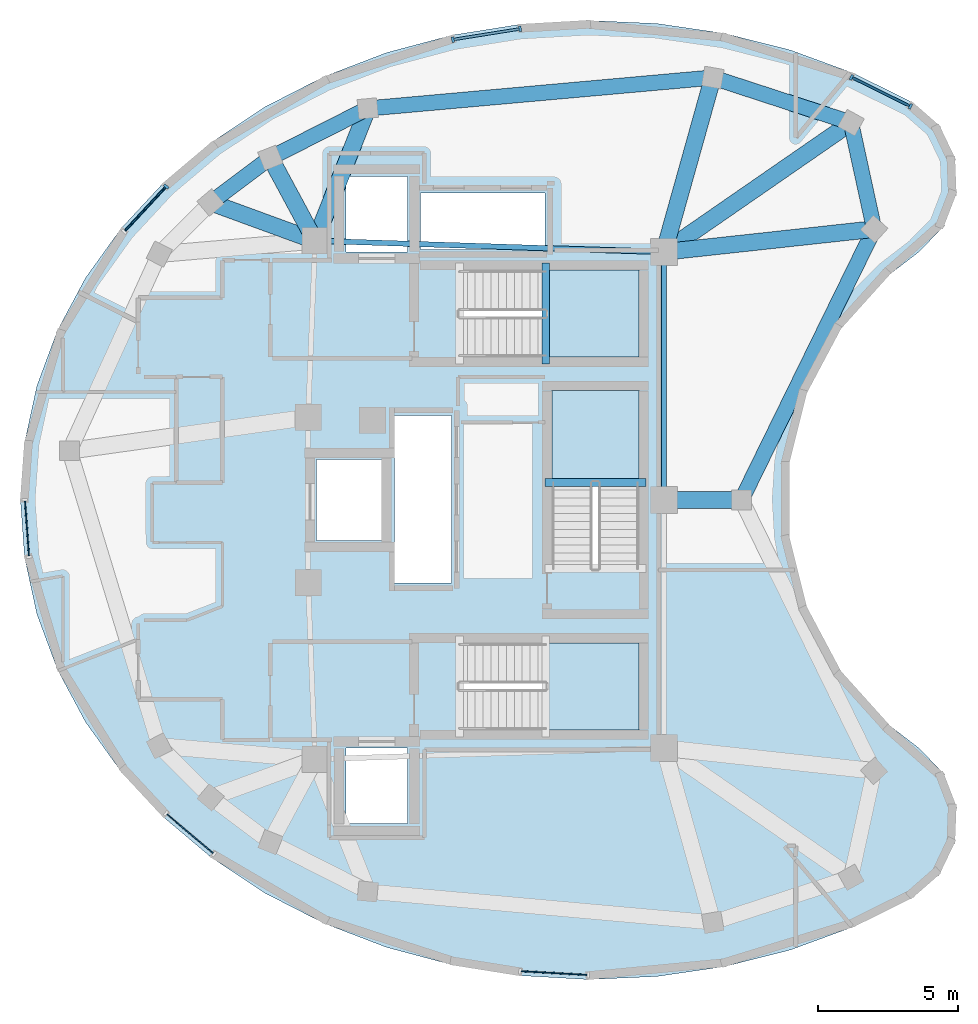
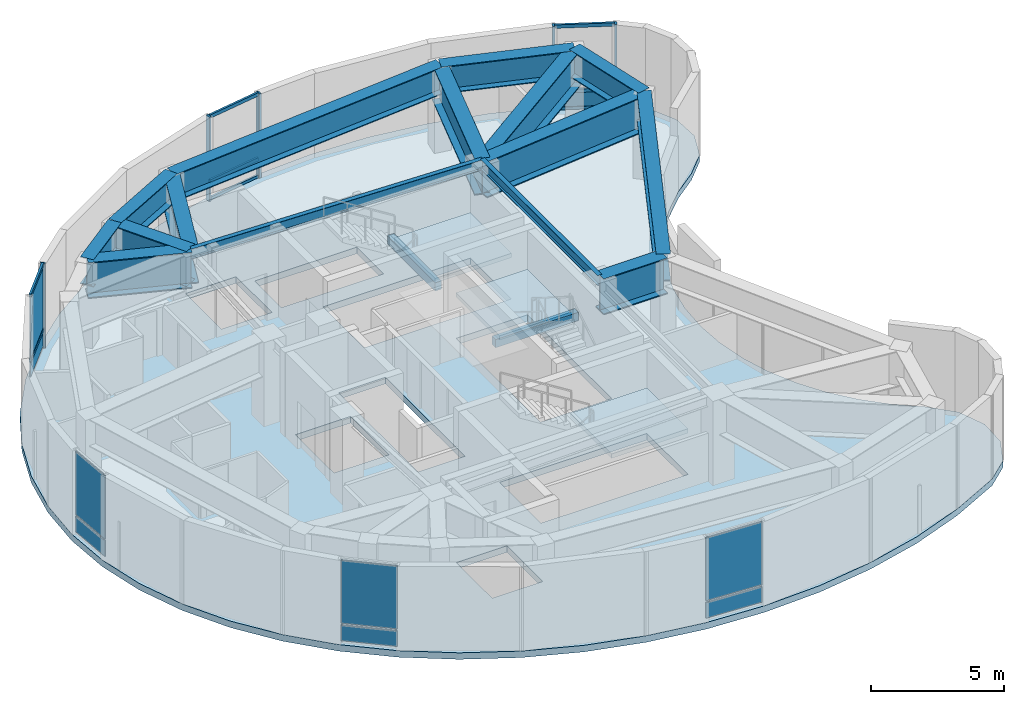
# One storey, part 2 of 8: 17 beams, 13 members, 9 plates, 4 slabs, 9 elements without a shape of their own.
"""IFC4 building model written with IfcOpenShell, lengths in metres."""

import ifcopenshell
import ifcopenshell.guid

model = None  # the IFC model being written
_history = None  # IfcOwnerHistory: only IFC2X3 demands one
_inside = {}  # id of a spatial element -> (the spatial element, [elements in it])
_under = {}  # id of a project, library or spatial element -> (it, [spatial elements below it])
_declared = {}  # id of a project -> (the project, [libraries it declares])
_typed = {}  # id of a type object -> (the type object, [elements of that type])
_made_of = {}  # id of a material, layer set ... -> (it, [elements and type objects made of it])


def new_model(schema):
    """Start an empty IFC model of exactly this schema.

    Asked for "IFC4X3", IfcOpenShell would pick the latest addendum, in which some entities
    have other attributes; the version numbers below select the first issue.
    IFC2X3 requires an IfcOwnerHistory on every rooted entity: one is made here for all.
    """
    global model, _history
    if schema == "IFC4X3":
        model = ifcopenshell.file(schema_version=(4, 3, 0, 0))
    else:
        model = ifcopenshell.file(schema=schema)
    _inside.clear()
    _under.clear()
    _declared.clear()
    _typed.clear()
    _made_of.clear()
    _history = None
    if model.schema == "IFC2X3":
        org = make("IfcOrganization", Name="unknown")
        user = make(
            "IfcPersonAndOrganization",
            ThePerson=make("IfcPerson", FamilyName="unknown"),
            TheOrganization=org,
        )
        app = make(
            "IfcApplication",
            ApplicationDeveloper=org,
            Version="unknown",
            ApplicationFullName="unknown",
            ApplicationIdentifier="unknown",
        )
        _history = make(
            "IfcOwnerHistory",
            OwningUser=user,
            OwningApplication=app,
            ChangeAction="ADDED",
            CreationDate=0,
        )
    return model


def make(cls, **values):
    """One entity of the class cls with the attributes given. An attribute that is None is left unset."""
    return model.create_entity(
        cls, **{name: value for name, value in values.items() if value is not None}
    )


def rooted(cls, **values):
    """An entity with a GlobalId (a new one), such as an element, a storey or a relation."""
    return make(cls, GlobalId=ifcopenshell.guid.new(), OwnerHistory=_history, **values)


def si_unit(unit_type, name, prefix=None):
    """IfcSIUnit, for example si_unit("LENGTHUNIT", "METRE", prefix="MILLI")."""
    return make("IfcSIUnit", UnitType=unit_type, Prefix=prefix, Name=name)


def assignment(units):
    """IfcUnitAssignment: the units of a project."""
    return None if units is None else make("IfcUnitAssignment", Units=units)


def point(xyz):
    """IfcCartesianPoint."""
    return None if xyz is None else make("IfcCartesianPoint", Coordinates=xyz)


def direction(xyz):
    """IfcDirection."""
    return None if xyz is None else make("IfcDirection", DirectionRatios=xyz)


def frame(location, z_axis=None, x_axis=None):
    """IfcAxis2Placement3D, a coordinate frame: its origin and axes. An axis left out is left unset."""
    return make(
        "IfcAxis2Placement3D",
        Location=point(location),
        Axis=direction(z_axis),
        RefDirection=direction(x_axis),
    )


def frame_2d(location, x_axis=None):
    """IfcAxis2Placement2D, a coordinate frame in the plane: its origin and x axis."""
    return make(
        "IfcAxis2Placement2D", Location=point(location), RefDirection=direction(x_axis)
    )


def origin():
    """The frame at (0, 0, 0) with its axes left unset."""
    return frame((0.0, 0.0, 0.0))


def origin_2d():
    """The frame at (0, 0) in the plane with its x axis left unset."""
    return frame_2d((0.0, 0.0))


def place(relative_to, where):
    """IfcLocalPlacement: puts the frame where relative to a parent placement (None: the world)."""
    return make(
        "IfcLocalPlacement", PlacementRelTo=relative_to, RelativePlacement=where
    )


def context(
    kind, dimensions, precision=None, world=None, true_north=None, identifier=None
):
    """IfcGeometricRepresentationContext, for example the 3D "Model" context."""
    return make(
        "IfcGeometricRepresentationContext",
        ContextIdentifier=identifier,
        ContextType=kind,
        CoordinateSpaceDimension=dimensions,
        Precision=precision,
        WorldCoordinateSystem=world,
        TrueNorth=true_north,
    )


def subcontext(parent, identifier, kind, view, scale=None):
    """IfcGeometricRepresentationSubContext, for example "Body" below "Model"."""
    return make(
        "IfcGeometricRepresentationSubContext",
        ContextIdentifier=identifier,
        ContextType=kind,
        ParentContext=parent,
        TargetScale=scale,
        TargetView=view,
    )


def project(units=None, contexts=None):
    """IfcProject with its units and contexts."""
    return rooted(
        "IfcProject",
        Name="project",
        RepresentationContexts=contexts,
        UnitsInContext=assignment(units),
    )


def spatial(cls, under=None, at=None, **own):
    """A site, building, storey or space (cls), placed at a placement, below another one or the project."""
    s = rooted(cls, ObjectPlacement=at, **own)
    if under is not None:
        _under.setdefault(under.id(), (under, []))[1].append(s)
    return s


def polyline(points):
    """IfcPolyline through the points."""
    return make("IfcPolyline", Points=[point(p) for p in points])


def profile(cls, at=None, kind="AREA", **sizes):
    """A parametric profile (cls). Its sizes go by their IFC names, for example OverallWidth=200.0."""
    return make(cls, ProfileType=kind, Position=at, **sizes)


def rectangle(**sizes):
    """IfcRectangleProfileDef."""
    return profile("IfcRectangleProfileDef", **sizes)


def i_section(**sizes):
    """IfcIShapeProfileDef."""
    return profile("IfcIShapeProfileDef", **sizes)


def outline(outer, holes=None, kind="AREA"):
    """IfcArbitraryClosedProfileDef: a profile drawn as a closed curve; with holes, ...WithVoids."""
    if holes is None:
        return make("IfcArbitraryClosedProfileDef", ProfileType=kind, OuterCurve=outer)
    return make(
        "IfcArbitraryProfileDefWithVoids",
        ProfileType=kind,
        OuterCurve=outer,
        InnerCurves=holes,
    )


def extrude(swept, where, along, depth):
    """IfcExtrudedAreaSolid: the profile swept, set in the frame where, extruded along a direction by depth."""
    return make(
        "IfcExtrudedAreaSolid",
        SweptArea=swept,
        Position=where,
        ExtrudedDirection=direction(along),
        Depth=depth,
    )


def shape(context_of_items, identifier, shape_type, items):
    """IfcShapeRepresentation: the items that make up one representation, for example the "Body"."""
    return make(
        "IfcShapeRepresentation",
        ContextOfItems=context_of_items,
        RepresentationIdentifier=identifier,
        RepresentationType=shape_type,
        Items=items,
    )


def material(Name=None, Category=None):
    """IfcMaterial."""
    return make("IfcMaterial", Name=Name, Category=Category)


def layer(
    of_material, thickness, ventilated=None, Name=None, Category=None, Priority=None
):
    """IfcMaterialLayer: one layer of a wall or slab, of a material (None: an air gap)."""
    return make(
        "IfcMaterialLayer",
        Material=of_material,
        LayerThickness=thickness,
        IsVentilated=ventilated,
        Name=Name,
        Category=Category,
        Priority=Priority,
    )


def layer_set(layers, Name=None):
    """IfcMaterialLayerSet."""
    return make("IfcMaterialLayerSet", MaterialLayers=layers, LayerSetName=Name)


def material_profile(
    of_material, cross_section, Name=None, Category=None, Priority=None
):
    """IfcMaterialProfile: a cross section and its material."""
    return make(
        "IfcMaterialProfile",
        Name=Name,
        Material=of_material,
        Profile=cross_section,
        Priority=Priority,
        Category=Category,
    )


def profile_set(profiles, Name=None, composite=None):
    """IfcMaterialProfileSet."""
    return make(
        "IfcMaterialProfileSet",
        Name=Name,
        MaterialProfiles=profiles,
        CompositeProfile=composite,
    )


def made_of(thing, what):
    """Note that an element or type object is made of a material, layer set ...; save() writes the relation."""
    if what is not None:
        _made_of.setdefault(what.id(), (what, []))[1].append(thing)
    return thing


def type_object(cls, material=None, **own):
    """A type object (cls), such as IfcWallType, which elements share."""
    return made_of(rooted(cls, **own), material)


def element(
    cls,
    number,
    at=None,
    inside=None,
    cuts=None,
    type_object=None,
    material=None,
    context=None,
    identifier="Body",
    shape_type=None,
    held_by="IfcProductDefinitionShape",
    body=None,
    shapes=None,
    **own,
):
    """One element of the class cls, such as IfcWall. Its Tag is "e" and its number.

    at: its placement. inside: the storey or other place that contains it. cuts: it is an
    opening in that element (IfcRelVoidsElement). A single representation is given by context,
    identifier, shape_type and body (its items); several are given by shapes. held_by: the class
    of the entity that holds the representations. save() writes the other relations.
    """
    e = rooted(cls, Tag="e%d" % number, ObjectPlacement=at, **own)
    if body is not None:
        shapes = [shape(context, identifier, shape_type, body)]
    if shapes is not None:
        e.Representation = make(held_by, Representations=shapes)
    if inside is not None:
        _inside.setdefault(inside.id(), (inside, []))[1].append(e)
    if cuts is not None:
        rooted(
            "IfcRelVoidsElement", RelatingBuildingElement=cuts, RelatedOpeningElement=e
        )
    if type_object is not None:
        _typed.setdefault(type_object.id(), (type_object, []))[1].append(e)
    return made_of(e, material)


def aggregate(whole, parts):
    """IfcRelAggregates: a whole, such as a stair, and the parts it consists of."""
    return rooted("IfcRelAggregates", RelatingObject=whole, RelatedObjects=parts)


def save(model, path):
    """Write the relations noted so far, then the file.

    IfcRelAggregates (storeys below a building ...), IfcRelContainedInSpatialStructure (elements
    in a storey), IfcRelDefinesByType, IfcRelAssociatesMaterial and IfcRelDeclares: one each for
    every whole, place, type object, material and project.
    """
    for whole, parts in _under.values():
        aggregate(whole, parts)
    for where, things in _inside.values():
        rooted(
            "IfcRelContainedInSpatialStructure",
            RelatedElements=things,
            RelatingStructure=where,
        )
    for kind, things in _typed.values():
        rooted("IfcRelDefinesByType", RelatedObjects=things, RelatingType=kind)
    for what, things in _made_of.values():
        rooted("IfcRelAssociatesMaterial", RelatedObjects=things, RelatingMaterial=what)
    for by, libraries in _declared.values():
        rooted("IfcRelDeclares", RelatingContext=by, RelatedDefinitions=libraries)
    model.write(path)


model = new_model("IFC4")

# Units and contexts
model_context = context("Model", 3, precision=1e-05, world=origin(), true_north=direction((0.0, 1.0)))
body_context = subcontext(model_context, "Body", "Model", "MODEL_VIEW")
ifc_project = project(units=[si_unit("LENGTHUNIT", "METRE"), si_unit("AREAUNIT", "SQUARE_METRE"), si_unit("VOLUMEUNIT", "CUBIC_METRE"), si_unit("PLANEANGLEUNIT", "RADIAN"), si_unit("MASSUNIT", "GRAM", prefix="KILO")], contexts=[model_context])

# Site, building, storey
site_placement = place(None, origin())
site = spatial("IfcSite", under=ifc_project, at=site_placement, CompositionType="ELEMENT")
building_placement = place(site_placement, origin())
building = spatial("IfcBuilding", under=site, at=building_placement, Name="Korentha Bioscience Tower", CompositionType="ELEMENT")
storey_placement = place(building_placement, frame((0.0, 0.0, 331.199951171875)))
storey = spatial("IfcBuildingStorey", under=building, at=storey_placement, Name="L76", CompositionType="ELEMENT", Elevation=331.199951171875)

# Beams
ifc_material_1 = material(Name="Concrete C50", Category="concrete")
ifc_material_profile_1 = material_profile(ifc_material_1, rectangle(XDim=0.280029296875, YDim=0.3798828125, at=origin_2d()), Name="Concrete C50")
ifc_profile_set_1 = profile_set([ifc_material_profile_1], Name="Concrete C50 (ST-HB380)")
beam_type_1 = type_object("IfcBeamType", Name="Concrete Stair Header Beam RC 280x380", PredefinedType="BEAM", material=ifc_profile_set_1)
for number, where, z_axis, x_axis, name in (
    (1, (33.330078125, 31.85009765625, 1.91015625), (0.0, 1.0, 0.0), (-1.0, 0.0, 0.0), "L76 ST-1 Half-Landing Header Beam 1"),
    (2, (36.89990234375, 27.6298828125, 1.91015625), (-1.0, 0.0, 0.0), (0.0, -1.0, 0.0), "L76 ST-3 Half-Landing Header Beam 1"),
):
    element("IfcBeam", number, at=place(storey_placement, frame(where, z_axis=z_axis, x_axis=x_axis)), inside=storey, type_object=beam_type_1, Name=name, PredefinedType="BEAM", context=body_context, shape_type="SweptSolid", body=[
        extrude(rectangle(XDim=0.280029296875, YDim=0.3798828125, at=origin_2d()), origin(), (0.0, 0.0, 1.0), 3.599853515625),
    ])
ifc_material_2 = material(Name="Steel S355", Category="steel")
ifc_material_profile_2 = material_profile(ifc_material_2, i_section(OverallWidth=0.550048828125, OverallDepth=1.25, WebThickness=0.02392578125, FlangeThickness=0.0400390625, at=origin_2d()), Name="Steel S355")
ifc_profile_set_2 = profile_set([ifc_material_profile_2], Name="Steel S355 (TG-03)")
beam_type_2 = type_object("IfcBeamType", Name="Crown Step Transfer Girder CVS 1250x510", PredefinedType="USERDEFINED", material=ifc_profile_set_2)
beam_1_placement = place(storey_placement, frame((44.222412109375, 40.464111328125, 3.255126953125), z_axis=(-0.950678556389, 0.310177823874, 0.0), x_axis=(-0.310177823874, -0.950678556389, 0.0)))
element("IfcBeam", 3, at=beam_1_placement, inside=storey, type_object=beam_type_2, Name="L76 Perimeter Spandrel Girder 01", ObjectType="TRANSFER_GIRDER", PredefinedType="USERDEFINED", context=body_context, shape_type="SweptSolid", body=[
    extrude(i_section(OverallWidth=0.550048828125, OverallDepth=1.25, WebThickness=0.02392578125, FlangeThickness=0.0400390625, at=origin_2d()), origin(), (0.0, 0.0, 1.0), 5.18701171875),
])
beam_2_placement = place(storey_placement, frame((39.291259765625, 42.072998046875, 3.255126953125), z_axis=(-0.996014051213, -0.089196467345, 0.0), x_axis=(0.089196467345, -0.996014051213, 0.0)))
element("IfcBeam", 4, at=beam_2_placement, inside=storey, type_object=beam_type_2, Name="L76 Perimeter Spandrel Girder 02", ObjectType="TRANSFER_GIRDER", PredefinedType="USERDEFINED", context=body_context, shape_type="SweptSolid", body=[
    extrude(i_section(OverallWidth=0.550048828125, OverallDepth=1.25, WebThickness=0.02392578125, FlangeThickness=0.0400390625, at=origin_2d()), origin(), (0.0, 0.0, 1.0), 12.36083984375),
])
beam_3_placement = place(storey_placement, frame((26.979736328125, 40.970458984375, 3.255126953125), z_axis=(-0.892109200785, -0.451819846703, 0.0), x_axis=(0.451819846703, -0.892109200785, 0.0)))
element("IfcBeam", 5, at=beam_3_placement, inside=storey, type_object=beam_type_2, Name="L76 Perimeter Spandrel Girder 03", ObjectType="TRANSFER_GIRDER", PredefinedType="USERDEFINED", context=body_context, shape_type="SweptSolid", body=[
    extrude(i_section(OverallWidth=0.550048828125, OverallDepth=1.25, WebThickness=0.02392578125, FlangeThickness=0.0400390625, at=origin_2d()), origin(), (0.0, 0.0, 1.0), 3.89599609375),
])
beam_4_placement = place(storey_placement, frame((23.504150390625, 39.210205078125, 3.255126953125), z_axis=(-0.800659400291, -0.599119791633, 0.0), x_axis=(0.599119791633, -0.800659400291, 0.0)))
element("IfcBeam", 6, at=beam_4_placement, inside=storey, type_object=beam_type_2, Name="L76 Perimeter Spandrel Girder 04", ObjectType="TRANSFER_GIRDER", PredefinedType="USERDEFINED", context=body_context, shape_type="SweptSolid", body=[
    extrude(i_section(OverallWidth=0.550048828125, OverallDepth=1.25, WebThickness=0.02392578125, FlangeThickness=0.0400390625, at=origin_2d()), origin(), (0.0, 0.0, 1.0), 2.663818359375),
])
beam_5_placement = place(storey_placement, frame((40.313232421875, 27.0, 3.255126953125), z_axis=(0.439904778925, 0.898044422887, 0.0), x_axis=(-0.898044422887, 0.439904778925, 0.0)))
element("IfcBeam", 7, at=beam_5_placement, inside=storey, type_object=beam_type_2, Name="L76 Perimeter Spandrel Girder 15", ObjectType="TRANSFER_GIRDER", PredefinedType="USERDEFINED", context=body_context, shape_type="SweptSolid", body=[
    extrude(i_section(OverallWidth=0.550048828125, OverallDepth=1.25, WebThickness=0.02392578125, FlangeThickness=0.0400390625, at=origin_2d()), origin(), (0.0, 0.0, 1.0), 10.764404296875),
])
beam_6_placement = place(storey_placement, frame((45.048583984375, 36.6669921875, 3.255126953125), z_axis=(-0.212604398008, 0.977138357628, 0.0), x_axis=(-0.977138357628, -0.212604398008, 0.0)))
element("IfcBeam", 8, at=beam_6_placement, inside=storey, type_object=beam_type_2, Name="L76 Perimeter Spandrel Girder 16", ObjectType="TRANSFER_GIRDER", PredefinedType="USERDEFINED", context=body_context, shape_type="SweptSolid", body=[
    extrude(i_section(OverallWidth=0.550048828125, OverallDepth=1.25, WebThickness=0.02392578125, FlangeThickness=0.0400390625, at=origin_2d()), origin(), (0.0, 0.0, 1.0), 3.885986328125),
])
ifc_material_profile_3 = material_profile(ifc_material_2, i_section(OverallWidth=0.60009765625, OverallDepth=1.64990234375, WebThickness=0.02587890625, FlangeThickness=0.0439453125, at=origin_2d()), Name="Steel S355")
ifc_profile_set_3 = profile_set([ifc_material_profile_3], Name="Steel S355 (TG-04)")
beam_type_3 = type_object("IfcBeamType", Name="Deep Setback Transfer Girder CVS 1650x620", PredefinedType="USERDEFINED", material=ifc_profile_set_3)
beam_7_placement = place(storey_placement, frame((37.550048828125, 35.85009765625, 3.054931640625), z_axis=(0.822498681093, 0.568767016977, 0.0), x_axis=(-0.568767016977, 0.822498681093, 0.0)))
element("IfcBeam", 9, at=beam_7_placement, inside=storey, type_object=beam_type_3, Name="L76 Radial Transfer Girder 01", ObjectType="TRANSFER_GIRDER", PredefinedType="USERDEFINED", context=body_context, shape_type="SweptSolid", body=[
    extrude(i_section(OverallWidth=0.60009765625, OverallDepth=1.64990234375, WebThickness=0.02587890625, FlangeThickness=0.0439453125, at=origin_2d()), origin(), (0.0, 0.0, 1.0), 8.1123046875),
])
beam_8_placement = place(storey_placement, frame((37.550048828125, 35.85009765625, 3.054931640625), z_axis=(0.269457550183, 0.963012268172, 0.0), x_axis=(-0.963012268172, 0.269457550183, 0.0)))
element("IfcBeam", 10, at=beam_8_placement, inside=storey, type_object=beam_type_3, Name="L76 Radial Transfer Girder 02", ObjectType="TRANSFER_GIRDER", PredefinedType="USERDEFINED", context=body_context, shape_type="SweptSolid", body=[
    extrude(i_section(OverallWidth=0.60009765625, OverallDepth=1.64990234375, WebThickness=0.02587890625, FlangeThickness=0.0439453125, at=origin_2d()), origin(), (0.0, 0.0, 1.0), 6.4619140625),
])
beam_9_placement = place(storey_placement, frame((25.10009765625, 36.25, 3.054931640625), z_axis=(0.369940425484, 0.92905547821, 0.0), x_axis=(-0.92905547821, 0.369940425484, 0.0)))
element("IfcBeam", 11, at=beam_9_placement, inside=storey, type_object=beam_type_3, Name="L76 Radial Transfer Girder 03", ObjectType="TRANSFER_GIRDER", PredefinedType="USERDEFINED", context=body_context, shape_type="SweptSolid", body=[
    extrude(i_section(OverallWidth=0.60009765625, OverallDepth=1.64990234375, WebThickness=0.02587890625, FlangeThickness=0.0439453125, at=origin_2d()), origin(), (0.0, 0.0, 1.0), 5.080810546875),
])
beam_10_placement = place(storey_placement, frame((25.10009765625, 36.25, 3.054931640625), z_axis=(-0.474558643926, 0.880223888267, 0.0), x_axis=(-0.880223888267, -0.474558643926, 0.0)))
element("IfcBeam", 12, at=beam_10_placement, inside=storey, type_object=beam_type_3, Name="L76 Radial Transfer Girder 04", ObjectType="TRANSFER_GIRDER", PredefinedType="USERDEFINED", context=body_context, shape_type="SweptSolid", body=[
    extrude(i_section(OverallWidth=0.60009765625, OverallDepth=1.64990234375, WebThickness=0.02587890625, FlangeThickness=0.0439453125, at=origin_2d()), origin(), (0.0, 0.0, 1.0), 3.363037109375),
])
beam_11_placement = place(storey_placement, frame((25.10009765625, 36.25, 3.054931640625), z_axis=(-0.939116561149, 0.343598726098, 0.0), x_axis=(-0.343598726098, -0.939116561149, 0.0)))
element("IfcBeam", 13, at=beam_11_placement, inside=storey, type_object=beam_type_3, Name="L76 Radial Transfer Girder 05", ObjectType="TRANSFER_GIRDER", PredefinedType="USERDEFINED", context=body_context, shape_type="SweptSolid", body=[
    extrude(i_section(OverallWidth=0.60009765625, OverallDepth=1.64990234375, WebThickness=0.02587890625, FlangeThickness=0.0439453125, at=origin_2d()), origin(), (0.0, 0.0, 1.0), 3.970458984375),
])
beam_12_placement = place(storey_placement, frame((37.550048828125, 27.0, 3.054931640625), z_axis=(1.0, 0.0, 0.0), x_axis=(0.0, 1.0, 0.0)))
element("IfcBeam", 14, at=beam_12_placement, inside=storey, type_object=beam_type_3, Name="L76 Radial Transfer Girder 15", ObjectType="TRANSFER_GIRDER", PredefinedType="USERDEFINED", context=body_context, shape_type="SweptSolid", body=[
    extrude(i_section(OverallWidth=0.60009765625, OverallDepth=1.64990234375, WebThickness=0.02587890625, FlangeThickness=0.0439453125, at=origin_2d()), origin(), (0.0, 0.0, 1.0), 2.76318359375),
])
beam_13_placement = place(storey_placement, frame((37.550048828125, 35.85009765625, 3.054931640625), z_axis=(0.994118280373, 0.108299790523, 0.0), x_axis=(-0.108299790523, 0.994118280373, 0.0)))
element("IfcBeam", 15, at=beam_13_placement, inside=storey, type_object=beam_type_3, Name="L76 Radial Transfer Girder 16", ObjectType="TRANSFER_GIRDER", PredefinedType="USERDEFINED", context=body_context, shape_type="SweptSolid", body=[
    extrude(i_section(OverallWidth=0.60009765625, OverallDepth=1.64990234375, WebThickness=0.02587890625, FlangeThickness=0.0439453125, at=origin_2d()), origin(), (0.0, 0.0, 1.0), 7.54296875),
])
ifc_material_profile_4 = material_profile(ifc_material_2, i_section(OverallWidth=0.18994140625, OverallDepth=0.45703125, WebThickness=0.009033203125, FlangeThickness=0.014404296875, at=origin_2d()), Name="Steel S355")
ifc_profile_set_4 = profile_set([ifc_material_profile_4], Name="Steel S355 (MB-460)")
beam_type_4 = type_object("IfcBeamType", Name="Mid-Ring Tie Girder W460x74", PredefinedType="BEAM", material=ifc_profile_set_4)
beam_14_placement = place(storey_placement, frame((37.550048828125, 35.85009765625, 3.651611328125), z_axis=(-0.999484526071, 0.032104238723, 0.0), x_axis=(-0.032104238723, -0.999484526071, 0.0)))
element("IfcBeam", 16, at=beam_14_placement, inside=storey, type_object=beam_type_4, Name="L76 Core Ring Tie Girder 01", PredefinedType="BEAM", context=body_context, shape_type="SweptSolid", body=[
    extrude(i_section(OverallWidth=0.18994140625, OverallDepth=0.45703125, WebThickness=0.009033203125, FlangeThickness=0.014404296875, at=origin_2d()), origin(), (0.0, 0.0, 1.0), 12.456298828125),
])
beam_15_placement = place(storey_placement, frame((37.550048828125, 27.0, 3.651611328125), z_axis=(0.0, 1.0, 0.0), x_axis=(-1.0, 0.0, 0.0)))
element("IfcBeam", 17, at=beam_15_placement, inside=storey, type_object=beam_type_4, Name="L76 Core Ring Tie Girder 07", PredefinedType="BEAM", context=body_context, shape_type="SweptSolid", body=[
    extrude(i_section(OverallWidth=0.18994140625, OverallDepth=0.45703125, WebThickness=0.009033203125, FlangeThickness=0.014404296875, at=origin_2d()), origin(), (0.0, 0.0, 1.0), 8.85009765625),
])

# Curtain wall, members
ifc_material_3 = material(Name="Structural Silicone Glazed Aluminium", Category="aluminium")
ifc_layer_1 = layer(ifc_material_3, 0.219970703125, Name="Structural Silicone Glazed Aluminium")
ifc_layer_set_1 = layer_set([ifc_layer_1], Name="Structural Silicone Glazed Aluminium (CW-O1)")
curtain_wall_type = type_object("IfcCurtainWallType", Name="Sky Observatory Acoustic Curtain Wall CW-O1", PredefinedType="USERDEFINED", material=ifc_layer_set_1)
curtain_wall_1_placement = place(storey_placement, origin())
curtain_wall_1 = element("IfcCurtainWall", 18, at=curtain_wall_1_placement, inside=storey, type_object=curtain_wall_type, Name="L76 Curtain Wall 01", ObjectType="UNITISED", PredefinedType="USERDEFINED")
ifc_material_4 = material(Name="Anodised Aluminium 6063-T6", Category="aluminium")
ifc_material_profile_5 = material_profile(ifc_material_4, rectangle(XDim=0.090087890625, YDim=0.199951171875, at=origin_2d()), Name="Anodised Aluminium 6063-T6")
ifc_profile_set_5 = profile_set([ifc_material_profile_5], Name="Anodised Aluminium 6063-T6 (CW-MUL)")
member_type_1 = type_object("IfcMemberType", Name="Mullion RECT 90x200", PredefinedType="MULLION", material=ifc_profile_set_5)
member_1_placement = place(storey_placement, frame((46.34326171875, 41.043701171875, 0.0), z_axis=(0.0, 0.0, 1.0), x_axis=(-0.896323012649, 0.443401688085, 0.0)))
member_1 = element("IfcMember", 19, at=member_1_placement, type_object=member_type_1, Name="CW-L76-01 Mullion 1", PredefinedType="MULLION", context=body_context, shape_type="SweptSolid", body=[
    extrude(rectangle(XDim=0.090087890625, YDim=0.199951171875, at=origin_2d()), origin(), (0.0, 0.0, 1.0), 3.880126953125),
])
member_2_placement = place(storey_placement, frame((44.239501953125, 42.084228515625, 0.0), z_axis=(0.0, 0.0, 1.0), x_axis=(-0.896323012649, 0.443401688085, 0.0)))
member_2 = element("IfcMember", 20, at=member_2_placement, type_object=member_type_1, Name="CW-L76-01 Mullion 2", PredefinedType="MULLION", context=body_context, shape_type="SweptSolid", body=[
    extrude(rectangle(XDim=0.090087890625, YDim=0.199951171875, at=origin_2d()), origin(), (0.0, 0.0, 1.0), 3.880126953125),
])

curtain_wall_2_placement = place(storey_placement, origin())
curtain_wall_2 = element("IfcCurtainWall", 21, at=curtain_wall_2_placement, inside=storey, type_object=curtain_wall_type, Name="L76 Curtain Wall 07", ObjectType="UNITISED", PredefinedType="USERDEFINED")
member_3_placement = place(storey_placement, frame((32.416748046875, 43.811279296875, 0.0), z_axis=(0.0, 0.0, 1.0), x_axis=(-0.98751628191, -0.157516960875, 0.0)))
member_3 = element("IfcMember", 22, at=member_3_placement, type_object=member_type_1, Name="CW-L76-07 Mullion 1", PredefinedType="MULLION", context=body_context, shape_type="SweptSolid", body=[
    extrude(rectangle(XDim=0.090087890625, YDim=0.199951171875, at=origin_2d()), origin(), (0.0, 0.0, 1.0), 3.880126953125),
])
member_4_placement = place(storey_placement, frame((30.0166015625, 43.428466796875, 0.0), z_axis=(0.0, 0.0, 1.0), x_axis=(-0.98751628191, -0.157516960875, 0.0)))
member_4 = element("IfcMember", 23, at=member_4_placement, type_object=member_type_1, Name="CW-L76-07 Mullion 2", PredefinedType="MULLION", context=body_context, shape_type="SweptSolid", body=[
    extrude(rectangle(XDim=0.090087890625, YDim=0.199951171875, at=origin_2d()), origin(), (0.0, 0.0, 1.0), 3.880126953125),
])

# Curtain wall, member
curtain_wall_3_placement = place(storey_placement, origin())
curtain_wall_3 = element("IfcCurtainWall", 24, at=curtain_wall_3_placement, inside=storey, type_object=curtain_wall_type, Name="L76 Curtain Wall 13", ObjectType="UNITISED", PredefinedType="USERDEFINED")
member_5_placement = place(storey_placement, frame((19.78662109375, 38.1875, 0.0), z_axis=(0.0, 0.0, 1.0), x_axis=(-0.680400939079, -0.73284006584, 0.0)))
member_5 = element("IfcMember", 25, at=member_5_placement, type_object=member_type_1, Name="CW-L76-13 Mullion 1", PredefinedType="MULLION", context=body_context, shape_type="SweptSolid", body=[
    extrude(rectangle(XDim=0.090087890625, YDim=0.199951171875, at=origin_2d()), origin(), (0.0, 0.0, 1.0), 3.880126953125),
])

# Member
ifc_material_profile_6 = material_profile(ifc_material_4, rectangle(XDim=0.090087890625, YDim=0.159912109375, at=origin_2d()), Name="Anodised Aluminium 6063-T6")
ifc_profile_set_6 = profile_set([ifc_material_profile_6], Name="Anodised Aluminium 6063-T6 (CW-TRN)")
member_type_2 = type_object("IfcMemberType", Name="Transom RECT 90x160", PredefinedType="USERDEFINED", material=ifc_profile_set_6)
member_6_placement = place(storey_placement, frame((46.302978515625, 41.063720703125, 0.045166015625), z_axis=(-0.896344198237, 0.443358859488, 0.0), x_axis=(-0.443358859488, -0.896344198237, 0.0)))
member_6 = element("IfcMember", 26, at=member_6_placement, type_object=member_type_2, Name="CW-L76-01 Bay 1 Transom 1", ObjectType="TRANSOM", PredefinedType="USERDEFINED", context=body_context, shape_type="SweptSolid", body=[
    extrude(rectangle(XDim=0.090087890625, YDim=0.159912109375, at=origin_2d()), origin(), (0.0, 0.0, 1.0), 2.257080078125),
])

member_7_placement = place(storey_placement, frame((46.302978515625, 41.063720703125, 0.85009765625), z_axis=(-0.896344198237, 0.443358859488, 0.0), x_axis=(-0.443358859488, -0.896344198237, 0.0)))
member_7 = element("IfcMember", 27, at=member_7_placement, type_object=member_type_2, Name="CW-L76-01 Bay 1 Transom 2", ObjectType="TRANSOM", PredefinedType="USERDEFINED", context=body_context, shape_type="SweptSolid", body=[
    extrude(rectangle(XDim=0.090087890625, YDim=0.159912109375, at=origin_2d()), origin(), (0.0, 0.0, 1.0), 2.257080078125),
])

member_8_placement = place(storey_placement, frame((46.302978515625, 41.063720703125, 3.8349609375), z_axis=(-0.896344198237, 0.443358859488, 0.0), x_axis=(-0.443358859488, -0.896344198237, 0.0)))
member_8 = element("IfcMember", 28, at=member_8_placement, type_object=member_type_2, Name="CW-L76-01 Bay 1 Transom 3", ObjectType="TRANSOM", PredefinedType="USERDEFINED", context=body_context, shape_type="SweptSolid", body=[
    extrude(rectangle(XDim=0.090087890625, YDim=0.159912109375, at=origin_2d()), origin(), (0.0, 0.0, 1.0), 2.257080078125),
])

member_9_placement = place(storey_placement, frame((32.372314453125, 43.80419921875, 0.045166015625), z_axis=(-0.987514736645, -0.15752664825, 0.0), x_axis=(0.15752664825, -0.987514736645, 0.0)))
member_9 = element("IfcMember", 29, at=member_9_placement, type_object=member_type_2, Name="CW-L76-07 Bay 1 Transom 1", ObjectType="TRANSOM", PredefinedType="USERDEFINED", context=body_context, shape_type="SweptSolid", body=[
    extrude(rectangle(XDim=0.090087890625, YDim=0.159912109375, at=origin_2d()), origin(), (0.0, 0.0, 1.0), 2.34033203125),
])

member_10_placement = place(storey_placement, frame((32.372314453125, 43.80419921875, 0.85009765625), z_axis=(-0.987514736645, -0.15752664825, 0.0), x_axis=(0.15752664825, -0.987514736645, 0.0)))
member_10 = element("IfcMember", 30, at=member_10_placement, type_object=member_type_2, Name="CW-L76-07 Bay 1 Transom 2", ObjectType="TRANSOM", PredefinedType="USERDEFINED", context=body_context, shape_type="SweptSolid", body=[
    extrude(rectangle(XDim=0.090087890625, YDim=0.159912109375, at=origin_2d()), origin(), (0.0, 0.0, 1.0), 2.34033203125),
])

member_11_placement = place(storey_placement, frame((32.372314453125, 43.80419921875, 3.8349609375), z_axis=(-0.987514736645, -0.15752664825, 0.0), x_axis=(0.15752664825, -0.987514736645, 0.0)))
member_11 = element("IfcMember", 31, at=member_11_placement, type_object=member_type_2, Name="CW-L76-07 Bay 1 Transom 3", ObjectType="TRANSOM", PredefinedType="USERDEFINED", context=body_context, shape_type="SweptSolid", body=[
    extrude(rectangle(XDim=0.090087890625, YDim=0.159912109375, at=origin_2d()), origin(), (0.0, 0.0, 1.0), 2.34033203125),
])

aggregate(curtain_wall_2, [member_3, member_4, member_9, member_10, member_11])

member_12_placement = place(storey_placement, frame((19.756103515625, 38.154541015625, 0.85009765625), z_axis=(-0.680468815221, -0.732777040792, 0.0), x_axis=(0.732777040792, -0.680468815221, 0.0)))
member_12 = element("IfcMember", 32, at=member_12_placement, type_object=member_type_2, Name="CW-L76-13 Bay 1 Transom 2", ObjectType="TRANSOM", PredefinedType="USERDEFINED", context=body_context, shape_type="SweptSolid", body=[
    extrude(rectangle(XDim=0.090087890625, YDim=0.159912109375, at=origin_2d()), origin(), (0.0, 0.0, 1.0), 2.1142578125),
])

member_13_placement = place(storey_placement, frame((19.756103515625, 38.154541015625, 3.8349609375), z_axis=(-0.680468815221, -0.732777040792, 0.0), x_axis=(0.732777040792, -0.680468815221, 0.0)))
member_13 = element("IfcMember", 33, at=member_13_placement, type_object=member_type_2, Name="CW-L76-13 Bay 1 Transom 3", ObjectType="TRANSOM", PredefinedType="USERDEFINED", context=body_context, shape_type="SweptSolid", body=[
    extrude(rectangle(XDim=0.090087890625, YDim=0.159912109375, at=origin_2d()), origin(), (0.0, 0.0, 1.0), 2.1142578125),
])

# Plate
ifc_material_5 = material(Name="Triple-Glazed Low-E Insulated Glass", Category="glass")
ifc_layer_2 = layer(ifc_material_5, 0.0439453125, Name="Triple-Glazed Low-E Insulated Glass")
ifc_layer_set_2 = layer_set([ifc_layer_2], Name="Triple-Glazed Low-E Insulated Glass (GL-44)")
plate_type = type_object("IfcPlateType", Name="Glazed Panel 44mm", PredefinedType="CURTAIN_PANEL", material=ifc_layer_set_2)
plate_1_placement = place(storey_placement, frame((45.29150390625, 41.56396484375, 0.08984375), z_axis=(0.0, 0.0, 1.0), x_axis=(-0.896323012649, 0.443401688085, 0.0)))
plate_1 = element("IfcPlate", 34, at=plate_1_placement, type_object=plate_type, Name="CW-L76-01 Bay 1 Glazed Panel 1", PredefinedType="CURTAIN_PANEL", context=body_context, shape_type="SweptSolid", body=[
    extrude(rectangle(XDim=2.257080078125, YDim=0.0439453125, at=origin_2d()), origin(), (0.0, 0.0, 1.0), 0.715087890625),
])

aggregate(curtain_wall_1, [member_1, member_2, member_6, member_7, member_8, plate_1])

plate_2_placement = place(storey_placement, frame((19.03662109375, 37.3798828125, 0.08984375), z_axis=(0.0, 0.0, 1.0), x_axis=(-0.680400939079, -0.73284006584, 0.0)))
plate_2 = element("IfcPlate", 35, at=plate_2_placement, type_object=plate_type, Name="CW-L76-13 Bay 1 Glazed Panel 1", PredefinedType="CURTAIN_PANEL", context=body_context, shape_type="SweptSolid", body=[
    extrude(rectangle(XDim=2.114013671875, YDim=0.0439453125, at=origin_2d()), origin(), (0.0, 0.0, 1.0), 0.715087890625),
])

plate_3_placement = place(storey_placement, frame((19.03662109375, 37.3798828125, 0.89501953125), z_axis=(0.0, 0.0, 1.0), x_axis=(-0.680400939079, -0.73284006584, 0.0)))
plate_3 = element("IfcPlate", 36, at=plate_3_placement, type_object=plate_type, Name="CW-L76-13 Bay 1 Glazed Panel 2", PredefinedType="CURTAIN_PANEL", context=body_context, shape_type="SweptSolid", body=[
    extrude(rectangle(XDim=2.114013671875, YDim=0.0439453125, at=origin_2d()), origin(), (0.0, 0.0, 1.0), 2.89501953125),
])

aggregate(curtain_wall_3, [member_5, member_12, member_13, plate_2, plate_3])

# Curtain wall, plates
curtain_wall_4_placement = place(storey_placement, origin())
curtain_wall_4 = element("IfcCurtainWall", 37, at=curtain_wall_4_placement, inside=storey, type_object=curtain_wall_type, Name="L76 Curtain Wall 19", ObjectType="UNITISED", PredefinedType="USERDEFINED")
plate_4_placement = place(storey_placement, frame((14.820068359375, 25.9853515625, 0.08984375), z_axis=(0.0, 0.0, 1.0), x_axis=(0.071672608822, -0.997428211524, 0.0)))
plate_4 = element("IfcPlate", 38, at=plate_4_placement, type_object=plate_type, Name="CW-L76-19 Bay 1 Glazed Panel 1", PredefinedType="CURTAIN_PANEL", context=body_context, shape_type="SweptSolid", body=[
    extrude(rectangle(XDim=1.95751953125, YDim=0.0439453125, at=origin_2d()), origin(), (0.0, 0.0, 1.0), 0.715087890625),
])
plate_5_placement = place(storey_placement, frame((14.820068359375, 25.9853515625, 0.89501953125), z_axis=(0.0, 0.0, 1.0), x_axis=(0.071672608822, -0.997428211524, 0.0)))
plate_5 = element("IfcPlate", 39, at=plate_5_placement, type_object=plate_type, Name="CW-L76-19 Bay 1 Glazed Panel 2", PredefinedType="CURTAIN_PANEL", context=body_context, shape_type="SweptSolid", body=[
    extrude(rectangle(XDim=1.95751953125, YDim=0.0439453125, at=origin_2d()), origin(), (0.0, 0.0, 1.0), 2.89501953125),
])
aggregate(curtain_wall_4, [plate_4, plate_5])

curtain_wall_5_placement = place(storey_placement, origin())
curtain_wall_5 = element("IfcCurtainWall", 40, at=curtain_wall_5_placement, inside=storey, type_object=curtain_wall_type, Name="L76 Curtain Wall 25", ObjectType="UNITISED", PredefinedType="USERDEFINED")
plate_6_placement = place(storey_placement, frame((20.639892578125, 15.09228515625, 0.08984375), z_axis=(0.0, 0.0, 1.0), x_axis=(0.763986879488, -0.645231778488, 0.0)))
plate_6 = element("IfcPlate", 41, at=plate_6_placement, type_object=plate_type, Name="CW-L76-25 Bay 1 Glazed Panel 1", PredefinedType="CURTAIN_PANEL", context=body_context, shape_type="SweptSolid", body=[
    extrude(rectangle(XDim=2.161865234375, YDim=0.0439453125, at=origin_2d()), origin(), (0.0, 0.0, 1.0), 0.715087890625),
])
plate_7_placement = place(storey_placement, frame((20.639892578125, 15.09228515625, 0.89501953125), z_axis=(0.0, 0.0, 1.0), x_axis=(0.763986879488, -0.645231778488, 0.0)))
plate_7 = element("IfcPlate", 42, at=plate_7_placement, type_object=plate_type, Name="CW-L76-25 Bay 1 Glazed Panel 2", PredefinedType="CURTAIN_PANEL", context=body_context, shape_type="SweptSolid", body=[
    extrude(rectangle(XDim=2.161865234375, YDim=0.0439453125, at=origin_2d()), origin(), (0.0, 0.0, 1.0), 2.89501953125),
])
aggregate(curtain_wall_5, [plate_6, plate_7])

curtain_wall_6_placement = place(storey_placement, origin())
curtain_wall_6 = element("IfcCurtainWall", 43, at=curtain_wall_6_placement, inside=storey, type_object=curtain_wall_type, Name="L76 Curtain Wall 31", ObjectType="UNITISED", PredefinedType="USERDEFINED")
plate_8_placement = place(storey_placement, frame((33.62939453125, 10.119873046875, 0.08984375), z_axis=(0.0, 0.0, 1.0), x_axis=(0.998378462362, -0.056924914502, 0.0)))
plate_8 = element("IfcPlate", 44, at=plate_8_placement, type_object=plate_type, Name="CW-L76-31 Bay 1 Glazed Panel 1", PredefinedType="CURTAIN_PANEL", context=body_context, shape_type="SweptSolid", body=[
    extrude(rectangle(XDim=2.351318359375, YDim=0.0439453125, at=origin_2d()), origin(), (0.0, 0.0, 1.0), 0.715087890625),
])
plate_9_placement = place(storey_placement, frame((33.62939453125, 10.119873046875, 0.89501953125), z_axis=(0.0, 0.0, 1.0), x_axis=(0.998378462362, -0.056924914502, 0.0)))
plate_9 = element("IfcPlate", 45, at=plate_9_placement, type_object=plate_type, Name="CW-L76-31 Bay 1 Glazed Panel 2", PredefinedType="CURTAIN_PANEL", context=body_context, shape_type="SweptSolid", body=[
    extrude(rectangle(XDim=2.351318359375, YDim=0.0439453125, at=origin_2d()), origin(), (0.0, 0.0, 1.0), 2.89501953125),
])
aggregate(curtain_wall_6, [plate_8, plate_9])

# Slab
ifc_layer_3 = layer(ifc_material_1, 0.300048828125, Name="Concrete C50")
ifc_layer_set_3 = layer_set([ifc_layer_3], Name="Concrete C50 (SL-L300)")
slab_type_1 = type_object("IfcSlabType", Name="Laboratory Vibration-Controlled Slab 300", PredefinedType="FLOOR", material=ifc_layer_set_3)
slab_1_placement = place(storey_placement, frame((0.0, 0.0, -0.300048828125)))
element("IfcSlab", 46, at=slab_1_placement, inside=storey, type_object=slab_type_1, Name="L76 Tower Structural Floor Slab", PredefinedType="FLOOR", context=body_context, shape_type="SweptSolid", body=[
    extrude(outline(polyline([(46.418701171875, 41.184814453125), (44.30615234375, 42.22998046875), (42.059326171875, 43.055419921875), (39.710693359375, 43.648681640625), (37.293701171875, 44.001953125), (34.843994140625, 44.109619140625), (32.396484375, 43.969970703125), (29.986572265625, 43.585693359375), (27.649169921875, 42.961669921875), (25.41796875, 42.107177734375), (23.324951171875, 41.03466796875), (21.400634765625, 39.759521484375), (19.672607421875, 38.300048828125), (18.166259765625, 36.677490234375), (16.902587890625, 34.915283203125), (15.900634765625, 33.03857421875), (15.17431640625, 31.074951171875), (14.734130859375, 29.05224609375), (14.5869140625, 27.0), (14.734130859375, 24.94775390625), (15.17431640625, 22.925048828125), (15.900634765625, 20.96142578125), (16.902587890625, 19.084716796875), (18.166259765625, 17.322509765625), (19.672607421875, 15.699951171875), (21.400634765625, 14.240478515625), (23.324951171875, 12.96533203125), (25.41796875, 11.892822265625), (27.649169921875, 11.038330078125), (29.986572265625, 10.414306640625), (32.396484375, 10.030029296875), (34.843994140625, 9.890380859375), (37.293701171875, 9.998046875), (39.710693359375, 10.351318359375), (42.059326171875, 10.944580078125), (44.30615234375, 11.77001953125), (46.418701171875, 12.815185546875), (47.375732421875, 13.65087890625), (47.924072265625, 14.79736328125), (47.97412109375, 16.06689453125), (47.517822265625, 17.2529296875), (46.629638671875, 18.16162109375), (45.596923828125, 18.9541015625), (44.668701171875, 19.866455078125), (43.8583984375, 20.885009765625), (43.17822265625, 21.9951171875), (42.638427734375, 23.179443359375), (42.246826171875, 24.4208984375), (42.009765625, 25.70068359375), (41.930419921875, 27.0), (42.009765625, 28.29931640625), (42.246826171875, 29.5791015625), (42.638427734375, 30.820556640625), (43.17822265625, 32.0048828125), (43.8583984375, 33.114990234375), (44.668701171875, 34.133544921875), (45.596923828125, 35.0458984375), (46.629638671875, 35.83837890625), (47.517822265625, 36.7470703125), (47.97412109375, 37.93310546875), (47.924072265625, 39.20263671875), (47.375732421875, 40.34912109375), (46.418701171875, 41.184814453125)]), holes=[polyline([(30.25, 32.10009765625), (36.64990234375, 32.10009765625), (36.64990234375, 35.199951171875), (30.25, 35.199951171875), (30.25, 32.10009765625)]), polyline([(30.25, 18.800048828125), (36.64990234375, 18.800048828125), (36.64990234375, 21.89990234375), (30.25, 21.89990234375), (30.25, 18.800048828125)]), polyline([(36.64990234375, 24.550048828125), (36.64990234375, 30.89990234375), (33.550048828125, 30.89990234375), (33.550048828125, 24.550048828125), (36.64990234375, 24.550048828125)]), polyline([(27.929931640625, 24.030029296875), (29.969970703125, 24.030029296875), (29.969970703125, 30.02001953125), (27.929931640625, 30.02001953125), (27.929931640625, 24.030029296875)]), polyline([(28.860107421875, 35.93994140625), (33.31005859375, 35.93994140625), (33.31005859375, 37.9599609375), (28.860107421875, 37.9599609375), (28.860107421875, 35.93994140625)]), polyline([(26.199951171875, 15.449951171875), (28.39990234375, 15.449951171875), (28.39990234375, 18.14990234375), (26.199951171875, 18.14990234375), (26.199951171875, 15.449951171875)]), polyline([(26.199951171875, 35.85009765625), (28.39990234375, 35.85009765625), (28.39990234375, 38.550048828125), (26.199951171875, 38.550048828125), (26.199951171875, 35.85009765625)]), polyline([(25.14990234375, 25.550048828125), (27.550048828125, 25.550048828125), (27.550048828125, 28.449951171875), (25.14990234375, 28.449951171875), (25.14990234375, 25.550048828125)])]), origin(), (0.0, 0.0, 1.0), 0.300048828125),
])

# Stair, slab
ifc_material_6 = material(Name="Precast Concrete C50", Category="concrete")
stair_type = type_object("IfcStairType", Name="Core Exit Dog-Leg Stair 1450", PredefinedType="HALF_TURN_STAIR", material=ifc_material_6)
stair_1_placement = place(storey_placement, origin())
stair_1 = element("IfcStair", 47, at=stair_1_placement, inside=storey, type_object=stair_type, Name="L76 Tower North Pressurized Exit Stair ST-1", PredefinedType="HALF_TURN_STAIR")
ifc_layer_4 = layer(ifc_material_1, 0.199951171875, Name="Concrete C50")
ifc_layer_set_4 = layer_set([ifc_layer_4], Name="Concrete C50 (SL-LND)")
slab_type_2 = type_object("IfcSlabType", Name="Landing Slab 200", PredefinedType="LANDING", material=ifc_layer_set_4)
slab_2_placement = place(storey_placement, frame((0.0, 0.0, 1.900146484375)))
slab_2 = element("IfcSlab", 48, at=slab_2_placement, type_object=slab_type_2, Name="ST-1 landing 1", PredefinedType="LANDING", context=body_context, shape_type="SweptSolid", body=[
    extrude(outline(polyline([(33.330078125, 32.10009765625), (36.64990234375, 32.10009765625), (36.64990234375, 35.199951171875), (33.330078125, 35.199951171875), (33.330078125, 32.10009765625)])), origin(), (0.0, 0.0, 1.0), 0.199951171875),
])
aggregate(stair_1, [slab_2])

stair_2_placement = place(storey_placement, origin())
stair_2 = element("IfcStair", 49, at=stair_2_placement, inside=storey, type_object=stair_type, Name="L76 Tower South Pressurized Exit Stair ST-2", PredefinedType="HALF_TURN_STAIR")
slab_3_placement = place(storey_placement, frame((0.0, 0.0, 1.900146484375)))
slab_3 = element("IfcSlab", 50, at=slab_3_placement, type_object=slab_type_2, Name="ST-2 landing 1", PredefinedType="LANDING", context=body_context, shape_type="SweptSolid", body=[
    extrude(outline(polyline([(33.330078125, 18.800048828125), (36.64990234375, 18.800048828125), (36.64990234375, 21.89990234375), (33.330078125, 21.89990234375), (33.330078125, 18.800048828125)])), origin(), (0.0, 0.0, 1.0), 0.199951171875),
])
aggregate(stair_2, [slab_3])

stair_3_placement = place(storey_placement, origin())
stair_3 = element("IfcStair", 51, at=stair_3_placement, inside=storey, type_object=stair_type, Name="L76 Tower Central Pressurized Exit Stair ST-3", PredefinedType="HALF_TURN_STAIR")
slab_4_placement = place(storey_placement, frame((0.0, 0.0, 1.900146484375)))
slab_4 = element("IfcSlab", 52, at=slab_4_placement, type_object=slab_type_2, Name="ST-3 landing 1", PredefinedType="LANDING", context=body_context, shape_type="SweptSolid", body=[
    extrude(outline(polyline([(36.64990234375, 27.6298828125), (36.64990234375, 30.89990234375), (33.550048828125, 30.89990234375), (33.550048828125, 27.6298828125), (36.64990234375, 27.6298828125)])), origin(), (0.0, 0.0, 1.0), 0.199951171875),
])
aggregate(stair_3, [slab_4])

save(model, "model.ifc")
